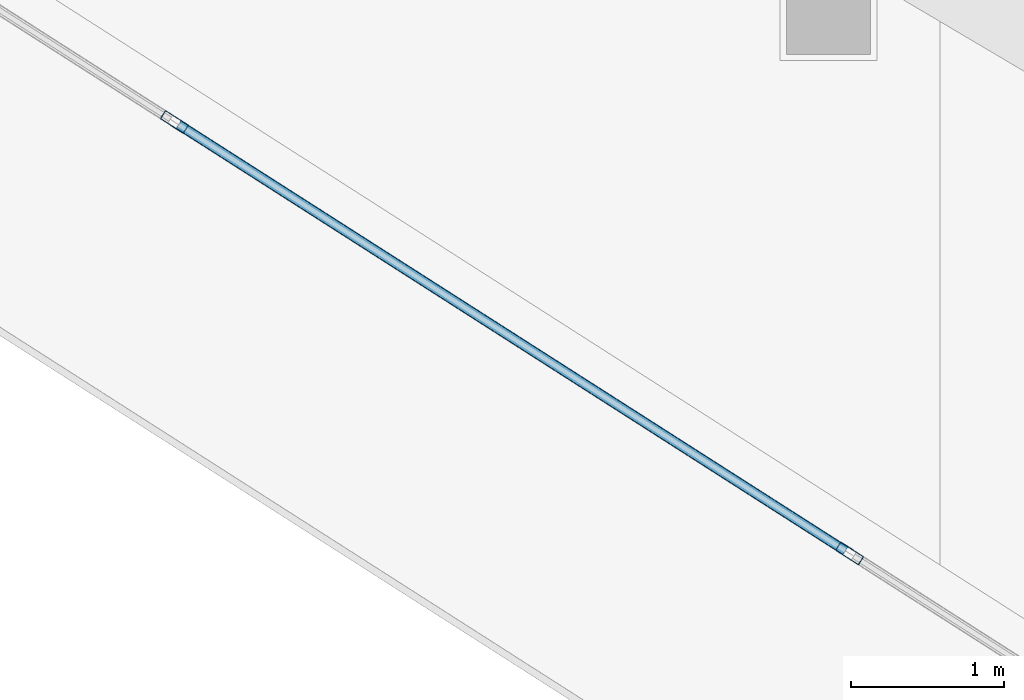
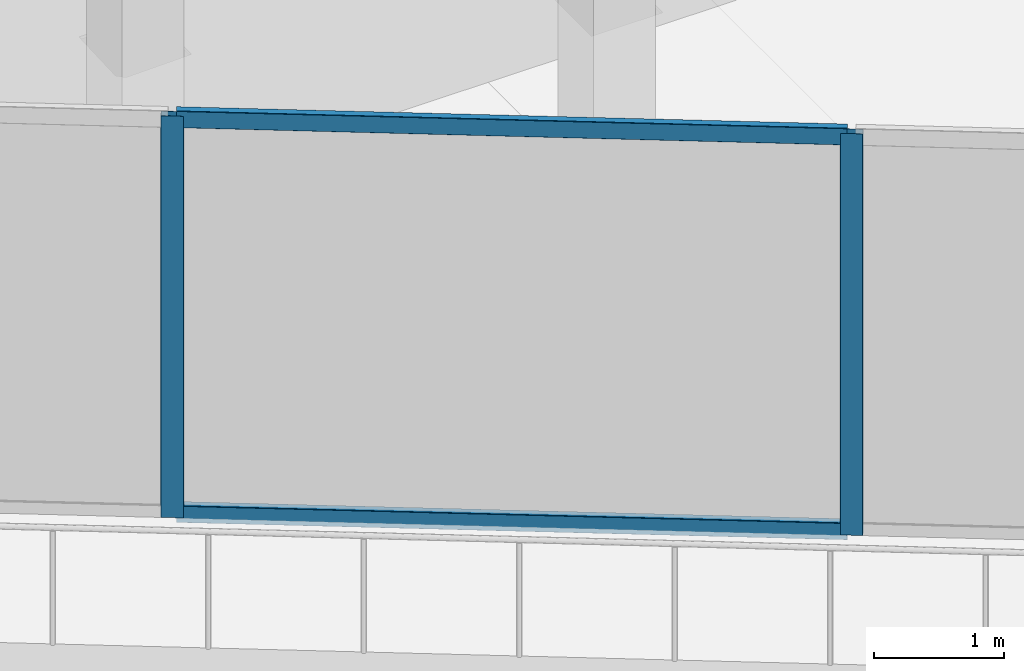
# One storey, part 4 of 33: 4 members, 1 element without a shape of its own.
"""IFC4 building model written with IfcOpenShell, lengths in metres."""

from ifc_helpers import new_model, si_unit, direction, frame, origin, origin_2d, place, context, subcontext, project, spatial, hollow_rectangle, extrude, material, layer, layer_set, material_profile, profile_set, type_object, element, aggregate, save


model = new_model("IFC4")

# Units and contexts
model_context = context("Model", 3, precision=1e-05, world=origin(), true_north=direction((0.0, 1.0)))
body_context = subcontext(model_context, "Body", "Model", "MODEL_VIEW")
ifc_project = project(units=[si_unit("LENGTHUNIT", "METRE"), si_unit("AREAUNIT", "SQUARE_METRE"), si_unit("VOLUMEUNIT", "CUBIC_METRE"), si_unit("PLANEANGLEUNIT", "RADIAN"), si_unit("MASSUNIT", "GRAM", prefix="KILO")], contexts=[model_context])

# Site, building, storey
site_placement = place(None, origin())
site = spatial("IfcSite", under=ifc_project, at=site_placement, CompositionType="ELEMENT")
building_placement = place(site_placement, origin())
building = spatial("IfcBuilding", under=site, at=building_placement, Name="Qorvath Tower", CompositionType="ELEMENT")
storey_placement = place(building_placement, frame((0.0, 0.0, 221.25)))
storey = spatial("IfcBuildingStorey", under=building, at=storey_placement, Name="L51", CompositionType="ELEMENT", Elevation=221.25)

# Curtain wall, members
ifc_material_1 = material(Name="Anodised aluminium and triple low-E glass", Category="aluminium")
ifc_layer = layer(ifc_material_1, 0.179931640625)
ifc_layer_set = layer_set([ifc_layer], Name="CW-SYS-3")
curtain_wall_type = type_object("IfcCurtainWallType", Name="CW-SYS-3", PredefinedType="NOTDEFINED", material=ifc_layer_set)
curtain_wall_placement = place(storey_placement, origin())
curtain_wall = element("IfcCurtainWall", 1, at=curtain_wall_placement, inside=storey, type_object=curtain_wall_type, Name="Curtain Wall CW-3 CW-T-L51-2.2", PredefinedType="NOTDEFINED")
ifc_material_2 = material(Name="Anodised aluminium 6063-T6", Category="aluminium")
ifc_material_profile_1 = material_profile(ifc_material_2, hollow_rectangle(XDim=0.06494140625, YDim=0.179931640625, WallThickness=0.00341796875, InnerFilletRadius=0.00341796875, OuterFilletRadius=0.007080078125, at=origin_2d()), Name="CWM 180x65")
ifc_profile_set_1 = profile_set([ifc_material_profile_1], Name="Anodised aluminium 6063-T6")
member_type_1 = type_object("IfcMemberType", Name="CWM-180", PredefinedType="MULLION", material=ifc_profile_set_1)
member_1_placement = place(storey_placement, frame((-34.95703125, -14.842041015625, 0.0), z_axis=(0.0, 0.0, 1.0), x_axis=(0.538534785809, 0.842603278224, 0.0)))
member_1 = element("IfcMember", 2, at=member_1_placement, type_object=member_type_1, Name="CW-3 mullion 4", PredefinedType="MULLION", context=body_context, shape_type="SweptSolid", body=[
    extrude(hollow_rectangle(XDim=0.06494140625, YDim=0.179931640625, WallThickness=0.00341796875, InnerFilletRadius=0.00341796875, OuterFilletRadius=0.007080078125, at=origin_2d()), origin(), (0.0, 0.0, 1.0), 3.780029296875),
])
member_2_placement = place(storey_placement, frame((-30.5400390625, -17.6650390625, 0.0), z_axis=(0.0, 0.0, 1.0), x_axis=(0.538534785809, 0.842603278224, 0.0)))
member_2 = element("IfcMember", 3, at=member_2_placement, type_object=member_type_1, Name="CW-3 mullion 5", PredefinedType="MULLION", context=body_context, shape_type="SweptSolid", body=[
    extrude(hollow_rectangle(XDim=0.06494140625, YDim=0.179931640625, WallThickness=0.00341796875, InnerFilletRadius=0.00341796875, OuterFilletRadius=0.007080078125, at=origin_2d()), origin(), (0.0, 0.0, 1.0), 3.780029296875),
])
ifc_material_3 = material(Name="Anodised aluminium 6063-T6", Category="aluminium")
ifc_material_profile_2 = material_profile(ifc_material_3, hollow_rectangle(XDim=0.06494140625, YDim=0.159912109375, WallThickness=0.00341796875, InnerFilletRadius=0.00341796875, OuterFilletRadius=0.007080078125, at=origin_2d()), Name="CWT 160x65")
ifc_profile_set_2 = profile_set([ifc_material_profile_2], Name="Anodised aluminium 6063-T6")
member_type_2 = type_object("IfcMemberType", Name="CWT-160", PredefinedType="USERDEFINED", material=ifc_profile_set_2)
member_3_placement = place(storey_placement, frame((-34.9296875, -14.859375, 0.032470703125), z_axis=(0.842582136458, -0.538567863246, 0.0), x_axis=(0.538567863246, 0.842582136458, 0.0)))
member_3 = element("IfcMember", 4, at=member_3_placement, type_object=member_type_2, Name="CW-3 transom 4.1", ObjectType="TRANSOM", PredefinedType="USERDEFINED", context=body_context, shape_type="SweptSolid", body=[
    extrude(hollow_rectangle(XDim=0.06494140625, YDim=0.159912109375, WallThickness=0.00341796875, InnerFilletRadius=0.00341796875, OuterFilletRadius=0.007080078125, at=origin_2d()), origin(), (0.0, 0.0, 1.0), 5.17724609375),
])
member_4_placement = place(storey_placement, frame((-34.9296875, -14.859375, 3.74755859375), z_axis=(0.842582136458, -0.538567863246, 0.0), x_axis=(0.538567863246, 0.842582136458, 0.0)))
member_4 = element("IfcMember", 5, at=member_4_placement, type_object=member_type_2, Name="CW-3 transom 4.2", ObjectType="TRANSOM", PredefinedType="USERDEFINED", context=body_context, shape_type="SweptSolid", body=[
    extrude(hollow_rectangle(XDim=0.06494140625, YDim=0.159912109375, WallThickness=0.00341796875, InnerFilletRadius=0.00341796875, OuterFilletRadius=0.007080078125, at=origin_2d()), origin(), (0.0, 0.0, 1.0), 5.17724609375),
])
aggregate(curtain_wall, [member_1, member_2, member_3, member_4])

save(model, "model.ifc")
